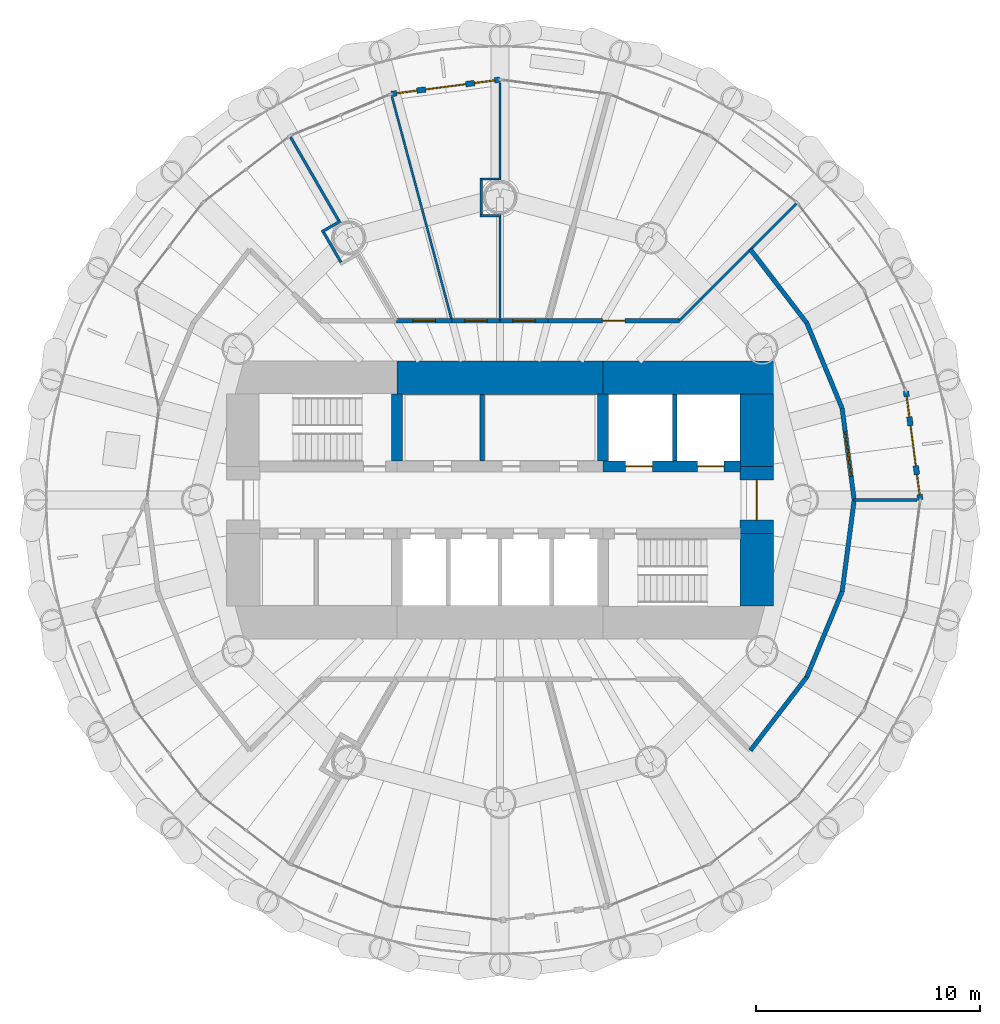
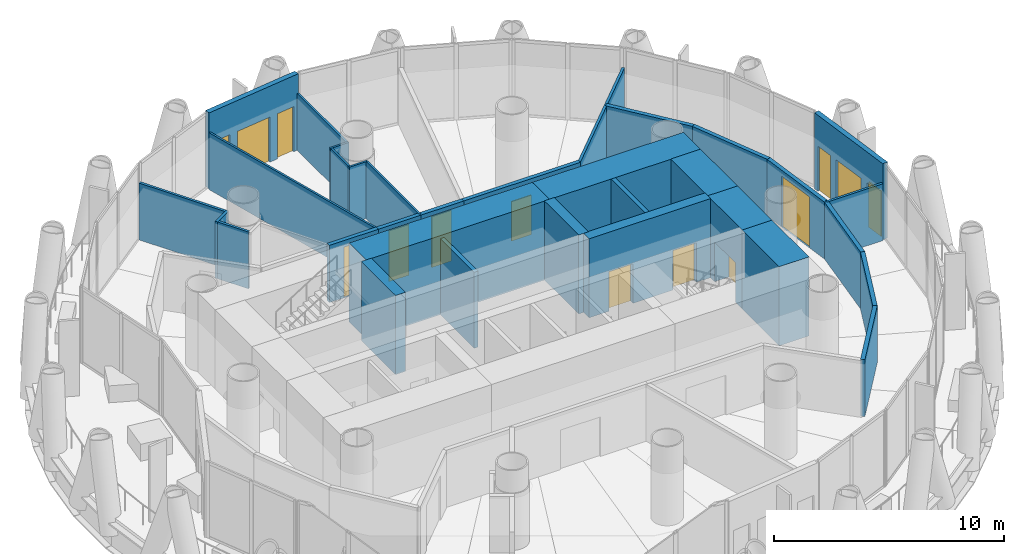
# One storey, part 10 of 15: 33 walls, 10 doors, 4 windows, 14 openings.
"""IFC4 building model written with IfcOpenShell, lengths in metres."""

from ifc_helpers import new_model, si_unit, direction, frame, frame_2d, origin, place, context, subcontext, project, spatial, rectangle, extrude, material, layer, layer_set, type_object, element, fill, save


model = new_model("IFC4")

# Units and contexts
model_context = context("Model", 3, precision=1e-05, world=origin(), true_north=direction((0.0, 1.0)))
body_context = subcontext(model_context, "Body", "Model", "MODEL_VIEW")
ifc_project = project(units=[si_unit("LENGTHUNIT", "METRE"), si_unit("AREAUNIT", "SQUARE_METRE"), si_unit("VOLUMEUNIT", "CUBIC_METRE"), si_unit("PLANEANGLEUNIT", "RADIAN"), si_unit("MASSUNIT", "GRAM", prefix="KILO")], contexts=[model_context])

# Site, building, storey
site_placement = place(None, origin())
site = spatial("IfcSite", under=ifc_project, at=site_placement, CompositionType="ELEMENT")
building_placement = place(site_placement, origin())
building = spatial("IfcBuilding", under=site, at=building_placement, Name="Qaws Media Tower", CompositionType="ELEMENT")
storey_placement = place(building_placement, frame((0.0, 0.0, 273.800048828125)))
storey = spatial("IfcBuildingStorey", under=building, at=storey_placement, Name="L63", CompositionType="ELEMENT", Elevation=273.800048828125)

# Wall, openings, door, windows
ifc_material_1 = material(Name="Precast concrete, exposed finish", Category="concrete")
ifc_layer_1 = layer(ifc_material_1, 0.25)
ifc_layer_set_1 = layer_set([ifc_layer_1], Name="Balcony door wall 250")
wall_type_1 = type_object("IfcWallType", Name="Balcony door wall 250", PredefinedType="SOLIDWALL", material=ifc_layer_set_1)
wall_1_placement = place(storey_placement, frame((78.75, 50.0, 0.0), z_axis=(0.0, 0.0, 1.0), x_axis=(-0.130533218363, 0.991443936339, 0.0)))
wall_1 = element("IfcWall", 1, at=wall_1_placement, inside=storey, type_object=wall_type_1, Name="W291 EW1 balcony door wall L63-01", PredefinedType="SOLIDWALL", context=body_context, shape_type="SweptSolid", body=[
    extrude(rectangle(XDim=4.894775390625, YDim=0.25, at=frame_2d((2.447265625, 0.0))), origin(), (0.0, 0.0, 1.0), 4.0400390625),
])
opening_1_placement = place(wall_1_placement, frame((1.54736328125, 0.0, 0.0)))
opening_1 = element("IfcOpeningElement", 2, at=opening_1_placement, cuts=wall_1, Name="Opening D7", PredefinedType="OPENING", context=body_context, shape_type="SweptSolid", body=[
    extrude(rectangle(XDim=1.800048828125, YDim=2.39990234375, at=frame_2d((0.89990234375, 1.199951171875))), frame((0.0, 0.135009765625, 0.0), z_axis=(0.0, -1.0, 0.0), x_axis=(1.0, 0.0, 0.0)), (0.0, 0.0, 1.0), 0.27001953125),
])
opening_2_placement = place(wall_1_placement, frame((0.247314453125, 0.0, 0.0)))
opening_2 = element("IfcOpeningElement", 3, at=opening_2_placement, cuts=wall_1, Name="Opening W7", PredefinedType="OPENING", context=body_context, shape_type="SweptSolid", body=[
    extrude(rectangle(XDim=0.89990234375, YDim=2.39990234375, at=frame_2d((0.449951171875, 1.199951171875))), frame((0.0, 0.135009765625, 0.0), z_axis=(0.0, -1.0, 0.0), x_axis=(1.0, 0.0, 0.0)), (0.0, 0.0, 1.0), 0.27001953125),
])
opening_3_placement = place(wall_1_placement, frame((3.747314453125, 0.0, 0.0)))
opening_3 = element("IfcOpeningElement", 4, at=opening_3_placement, cuts=wall_1, Name="Opening W7", PredefinedType="OPENING", context=body_context, shape_type="SweptSolid", body=[
    extrude(rectangle(XDim=0.89990234375, YDim=2.39990234375, at=frame_2d((0.449951171875, 1.199951171875))), frame((0.0, 0.135009765625, 0.0), z_axis=(0.0, -1.0, 0.0), x_axis=(1.0, 0.0, 0.0)), (0.0, 0.0, 1.0), 0.27001953125),
])
ifc_material_2 = material(Name="Aluminium and clear glass", Category="aluminium")
door_type_1 = type_object("IfcDoorType", Name="Balcony door pair 1800", OperationType="DOUBLE_DOOR_SLIDING", PredefinedType="DOOR", material=ifc_material_2)
door_1_placement = place(opening_1_placement, origin())
door_1 = element("IfcDoor", 5, at=door_1_placement, inside=storey, type_object=door_type_1, Name="D7 balcony door L63-01 in wall W291", OperationType="DOUBLE_DOOR_SLIDING", OverallHeight=2.39990234375, OverallWidth=1.800048828125, PredefinedType="DOOR", context=body_context, shape_type="SweptSolid", body=[
    extrude(rectangle(XDim=1.800048828125, YDim=2.39990234375, at=frame_2d((0.89990234375, 1.199951171875))), frame((0.0, 0.02490234375, 0.0), z_axis=(0.0, -1.0, 0.0), x_axis=(1.0, 0.0, 0.0)), (0.0, 0.0, 1.0), 0.050048828125),
])
fill(opening_1, door_1)
ifc_material_3 = material(Name="Aluminium and clear glass", Category="aluminium")
window_type = type_object("IfcWindowType", Name="Balcony side window 900", PartitioningType="SINGLE_PANEL", PredefinedType="WINDOW", material=ifc_material_3)
window_1_placement = place(opening_2_placement, origin())
window_1 = element("IfcWindow", 6, at=window_1_placement, inside=storey, type_object=window_type, Name="W1 balcony side light L63-01L", OverallHeight=2.39990234375, OverallWidth=0.89990234375, PartitioningType="SINGLE_PANEL", PredefinedType="WINDOW", context=body_context, shape_type="SweptSolid", body=[
    extrude(rectangle(XDim=0.89990234375, YDim=2.39990234375, at=frame_2d((0.449951171875, 1.199951171875))), frame((0.0, 0.030029296875, 0.0), z_axis=(0.0, -1.0, 0.0), x_axis=(1.0, 0.0, 0.0)), (0.0, 0.0, 1.0), 0.06005859375),
])
fill(opening_2, window_1)
window_2_placement = place(opening_3_placement, origin())
window_2 = element("IfcWindow", 7, at=window_2_placement, inside=storey, type_object=window_type, Name="W1 balcony side light L63-01R", OverallHeight=2.39990234375, OverallWidth=0.89990234375, PartitioningType="SINGLE_PANEL", PredefinedType="WINDOW", context=body_context, shape_type="SweptSolid", body=[
    extrude(rectangle(XDim=0.89990234375, YDim=2.39990234375, at=frame_2d((0.449951171875, 1.199951171875))), frame((0.0, 0.030029296875, 0.0), z_axis=(0.0, -1.0, 0.0), x_axis=(1.0, 0.0, 0.0)), (0.0, 0.0, 1.0), 0.06005859375),
])
fill(opening_3, window_2)

wall_2_placement = place(storey_placement, frame((60.0, 68.75, 0.0), z_axis=(0.0, 0.0, 1.0), x_axis=(-0.991443936339, -0.130533218363, 0.0)))
wall_2 = element("IfcWall", 8, at=wall_2_placement, inside=storey, type_object=wall_type_1, Name="W290 EW1 balcony door wall L63-07", PredefinedType="SOLIDWALL", context=body_context, shape_type="SweptSolid", body=[
    extrude(rectangle(XDim=4.894775390625, YDim=0.25, at=frame_2d((2.447265625, 0.0))), origin(), (0.0, 0.0, 1.0), 4.0400390625),
])
opening_4_placement = place(wall_2_placement, frame((1.54736328125, 0.0, 0.0)))
opening_4 = element("IfcOpeningElement", 9, at=opening_4_placement, cuts=wall_2, Name="Opening D7", PredefinedType="OPENING", context=body_context, shape_type="SweptSolid", body=[
    extrude(rectangle(XDim=1.800048828125, YDim=2.39990234375, at=frame_2d((0.89990234375, 1.199951171875))), frame((0.0, 0.135009765625, 0.0), z_axis=(0.0, -1.0, 0.0), x_axis=(1.0, 0.0, 0.0)), (0.0, 0.0, 1.0), 0.27001953125),
])
opening_5_placement = place(wall_2_placement, frame((0.247314453125, 0.0, 0.0)))
opening_5 = element("IfcOpeningElement", 10, at=opening_5_placement, cuts=wall_2, Name="Opening W7", PredefinedType="OPENING", context=body_context, shape_type="SweptSolid", body=[
    extrude(rectangle(XDim=0.89990234375, YDim=2.39990234375, at=frame_2d((0.449951171875, 1.199951171875))), frame((0.0, 0.135009765625, 0.0), z_axis=(0.0, -1.0, 0.0), x_axis=(1.0, 0.0, 0.0)), (0.0, 0.0, 1.0), 0.27001953125),
])
opening_6_placement = place(wall_2_placement, frame((3.747314453125, 0.0, 0.0)))
opening_6 = element("IfcOpeningElement", 11, at=opening_6_placement, cuts=wall_2, Name="Opening W7", PredefinedType="OPENING", context=body_context, shape_type="SweptSolid", body=[
    extrude(rectangle(XDim=0.89990234375, YDim=2.39990234375, at=frame_2d((0.449951171875, 1.199951171875))), frame((0.0, 0.135009765625, 0.0), z_axis=(0.0, -1.0, 0.0), x_axis=(1.0, 0.0, 0.0)), (0.0, 0.0, 1.0), 0.27001953125),
])
door_2_placement = place(opening_4_placement, origin())
door_2 = element("IfcDoor", 12, at=door_2_placement, inside=storey, type_object=door_type_1, Name="D7 balcony door L63-07 in wall W290", OperationType="DOUBLE_DOOR_SLIDING", OverallHeight=2.39990234375, OverallWidth=1.800048828125, PredefinedType="DOOR", context=body_context, shape_type="SweptSolid", body=[
    extrude(rectangle(XDim=1.800048828125, YDim=2.39990234375, at=frame_2d((0.89990234375, 1.199951171875))), frame((0.0, 0.02490234375, 0.0), z_axis=(0.0, -1.0, 0.0), x_axis=(1.0, 0.0, 0.0)), (0.0, 0.0, 1.0), 0.050048828125),
])
fill(opening_4, door_2)
window_3_placement = place(opening_5_placement, origin())
window_3 = element("IfcWindow", 13, at=window_3_placement, inside=storey, type_object=window_type, Name="W1 balcony side light L63-07L", OverallHeight=2.39990234375, OverallWidth=0.89990234375, PartitioningType="SINGLE_PANEL", PredefinedType="WINDOW", context=body_context, shape_type="SweptSolid", body=[
    extrude(rectangle(XDim=0.89990234375, YDim=2.39990234375, at=frame_2d((0.449951171875, 1.199951171875))), frame((0.0, 0.030029296875, 0.0), z_axis=(0.0, -1.0, 0.0), x_axis=(1.0, 0.0, 0.0)), (0.0, 0.0, 1.0), 0.06005859375),
])
fill(opening_5, window_3)
window_4_placement = place(opening_6_placement, origin())
window_4 = element("IfcWindow", 14, at=window_4_placement, inside=storey, type_object=window_type, Name="W1 balcony side light L63-07R", OverallHeight=2.39990234375, OverallWidth=0.89990234375, PartitioningType="SINGLE_PANEL", PredefinedType="WINDOW", context=body_context, shape_type="SweptSolid", body=[
    extrude(rectangle(XDim=0.89990234375, YDim=2.39990234375, at=frame_2d((0.449951171875, 1.199951171875))), frame((0.0, 0.030029296875, 0.0), z_axis=(0.0, -1.0, 0.0), x_axis=(1.0, 0.0, 0.0)), (0.0, 0.0, 1.0), 0.06005859375),
])
fill(opening_6, window_4)

# Wall, openings, doors
ifc_material_4 = material(Name="Concrete C60/75", Category="concrete")
ifc_layer_2 = layer(ifc_material_4, 0.5)
ifc_layer_set_2 = layer_set([ifc_layer_2], Name="Core inner wall 500")
wall_type_2 = type_object("IfcWallType", Name="Core inner wall 500", PredefinedType="SHEAR", material=ifc_layer_set_2)
wall_3_placement = place(storey_placement, frame((64.60009765625, 51.5, 0.0), z_axis=(0.0, 0.0, 1.0), x_axis=(1.0, 0.0, 0.0)))
wall_3 = element("IfcWall", 15, at=wall_3_placement, inside=storey, type_object=wall_type_2, Name="W352 SW12 core wall SPNE L63", PredefinedType="SHEAR", context=body_context, shape_type="SweptSolid", body=[
    extrude(rectangle(XDim=6.119873046875, YDim=0.5, at=frame_2d((3.06005859375, 0.0))), origin(), (0.0, 0.0, 1.0), 4.199951171875),
])
opening_7_placement = place(wall_3_placement, frame((1.0, 0.0, 0.0)))
opening_7 = element("IfcOpeningElement", 16, at=opening_7_placement, cuts=wall_3, Name="Opening LD2", PredefinedType="OPENING", context=body_context, shape_type="SweptSolid", body=[
    extrude(rectangle(XDim=1.199951171875, YDim=2.10009765625, at=frame_2d((0.60009765625, 1.050048828125))), frame((0.0, 0.260009765625, 0.0), z_axis=(0.0, -1.0, 0.0), x_axis=(1.0, 0.0, 0.0)), (0.0, 0.0, 1.0), 0.52001953125),
])
opening_8_placement = place(wall_3_placement, frame((4.199951171875, 0.0, 0.0)))
opening_8 = element("IfcOpeningElement", 17, at=opening_8_placement, cuts=wall_3, Name="Opening LD2", PredefinedType="OPENING", context=body_context, shape_type="SweptSolid", body=[
    extrude(rectangle(XDim=1.199951171875, YDim=2.10009765625, at=frame_2d((0.60009765625, 1.050048828125))), frame((0.0, 0.260009765625, 0.0), z_axis=(0.0, -1.0, 0.0), x_axis=(1.0, 0.0, 0.0)), (0.0, 0.0, 1.0), 0.52001953125),
])
ifc_material_5 = material(Name="Steel, fire rated", Category="steel")
door_type_2 = type_object("IfcDoorType", Name="Lift landing door 1200", OperationType="SLIDING_TO_LEFT", PredefinedType="DOOR", material=ifc_material_5)
door_3_placement = place(opening_7_placement, origin())
door_3 = element("IfcDoor", 18, at=door_3_placement, inside=storey, type_object=door_type_2, Name="FL1 landing door L63 in wall W352", OperationType="SLIDING_TO_LEFT", OverallHeight=2.10009765625, OverallWidth=1.199951171875, PredefinedType="DOOR", context=body_context, shape_type="SweptSolid", body=[
    extrude(rectangle(XDim=1.199951171875, YDim=2.10009765625, at=frame_2d((0.60009765625, 1.050048828125))), frame((0.0, 0.02490234375, 0.0), z_axis=(0.0, -1.0, 0.0), x_axis=(1.0, 0.0, 0.0)), (0.0, 0.0, 1.0), 0.050048828125),
])
fill(opening_7, door_3)
door_4_placement = place(opening_8_placement, origin())
door_4 = element("IfcDoor", 19, at=door_4_placement, inside=storey, type_object=door_type_2, Name="FL2 landing door L63 in wall W352", OperationType="SLIDING_TO_LEFT", OverallHeight=2.10009765625, OverallWidth=1.199951171875, PredefinedType="DOOR", context=body_context, shape_type="SweptSolid", body=[
    extrude(rectangle(XDim=1.199951171875, YDim=2.10009765625, at=frame_2d((0.60009765625, 1.050048828125))), frame((0.0, 0.02490234375, 0.0), z_axis=(0.0, -1.0, 0.0), x_axis=(1.0, 0.0, 0.0)), (0.0, 0.0, 1.0), 0.050048828125),
])
fill(opening_8, door_4)

# Walls
for number, where, z_axis, x_axis, name in (
    (20, (55.39990234375, 51.72998046875, 0.0), (0.0, 0.0, 1.0), (0.0, 1.0, 0.0), "W349 SW12 core wall XNW L63"),
    (21, (64.60009765625, 51.72998046875, 0.0), (0.0, 0.0, 1.0), (0.0, 1.0, 0.0), "W353 SW12 core wall XNE L63"),
):
    element("IfcWall", number, at=place(storey_placement, frame(where, z_axis=z_axis, x_axis=x_axis)), inside=storey, type_object=wall_type_2, Name=name, PredefinedType="SHEAR", context=body_context, shape_type="SweptSolid", body=[
        extrude(rectangle(XDim=2.989990234375, YDim=0.5, at=frame_2d((1.4951171875, 0.0))), origin(), (0.0, 0.0, 1.0), 4.199951171875),
    ])
ifc_material_6 = material(Name="Concrete C60/75", Category="concrete")
ifc_layer_3 = layer(ifc_material_6, 1.5)
ifc_layer_set_3 = layer_set([ifc_layer_3], Name="Core wall 1500")
wall_type_3 = type_object("IfcWallType", Name="Core wall 1500", PredefinedType="SHEAR", material=ifc_layer_set_3)
wall_4_placement = place(storey_placement, frame((55.39990234375, 55.449951171875, 0.0), z_axis=(0.0, 0.0, 1.0), x_axis=(1.0, 0.0, 0.0)))
element("IfcWall", 22, at=wall_4_placement, inside=storey, type_object=wall_type_3, Name="W373 SW13 core wall N L63", PredefinedType="SHEAR", context=body_context, shape_type="SweptSolid", body=[
    extrude(rectangle(XDim=9.2001953125, YDim=1.5, at=frame_2d((4.60009765625, 0.0))), origin(), (0.0, 0.0, 1.0), 4.199951171875),
])
wall_5_placement = place(storey_placement, frame((64.60009765625, 55.449951171875, 0.0), z_axis=(0.0, 0.0, 1.0), x_axis=(1.0, 0.0, 0.0)))
element("IfcWall", 23, at=wall_5_placement, inside=storey, type_object=wall_type_3, Name="W382 SW13 core wall NE L63", PredefinedType="SHEAR", context=body_context, shape_type="SweptSolid", body=[
    extrude(rectangle(XDim=7.599853515625, YDim=1.5, at=frame_2d((3.7998046875, 0.0))), origin(), (0.0, 0.0, 1.0), 4.199951171875),
])
wall_6_placement = place(storey_placement, frame((71.449951171875, 45.280029296875, 0.0), z_axis=(0.0, 0.0, 1.0), x_axis=(0.0, 1.0, 0.0)))
element("IfcWall", 24, at=wall_6_placement, inside=storey, type_object=wall_type_3, Name="W383 SW13 core wall ES L63", PredefinedType="SHEAR", context=body_context, shape_type="SweptSolid", body=[
    extrude(rectangle(XDim=3.219970703125, YDim=1.5, at=frame_2d((1.60986328125, 0.0))), origin(), (0.0, 0.0, 1.0), 4.199951171875),
])

# Wall, opening, door
wall_7_placement = place(storey_placement, frame((71.449951171875, 48.5, 0.0), z_axis=(0.0, 0.0, 1.0), x_axis=(0.0, 1.0, 0.0)))
wall_7 = element("IfcWall", 25, at=wall_7_placement, inside=storey, type_object=wall_type_3, Name="W384 SW13 core wall E L63", PredefinedType="SHEAR", context=body_context, shape_type="SweptSolid", body=[
    extrude(rectangle(XDim=3.0, YDim=1.5, at=frame_2d((1.5, 0.0))), origin(), (0.0, 0.0, 1.0), 4.199951171875),
])
opening_9_placement = place(wall_7_placement, frame((0.60009765625, 0.0, 0.0)))
opening_9 = element("IfcOpeningElement", 26, at=opening_9_placement, cuts=wall_7, Name="Opening D2", PredefinedType="OPENING", context=body_context, shape_type="SweptSolid", body=[
    extrude(rectangle(XDim=1.800048828125, YDim=2.10009765625, at=frame_2d((0.89990234375, 1.050048828125))), frame((0.0, 0.760009765625, 0.0), z_axis=(0.0, -1.0, 0.0), x_axis=(1.0, 0.0, 0.0)), (0.0, 0.0, 1.0), 1.52001953125),
])
ifc_material_7 = material(Name="Steel and glass, fire rated", Category="steel")
door_type_3 = type_object("IfcDoorType", Name="Lobby door pair 1800 FD60", OperationType="DOUBLE_DOOR_DOUBLE_SWING", PredefinedType="DOOR", material=ifc_material_7)
door_5_placement = place(opening_9_placement, origin())
door_5 = element("IfcDoor", 27, at=door_5_placement, inside=storey, type_object=door_type_3, Name="D2 core lobby door E L63 in wall W384", OperationType="DOUBLE_DOOR_DOUBLE_SWING", OverallHeight=2.10009765625, OverallWidth=1.800048828125, PredefinedType="DOOR", context=body_context, shape_type="SweptSolid", body=[
    extrude(rectangle(XDim=1.800048828125, YDim=2.10009765625, at=frame_2d((0.89990234375, 1.050048828125))), frame((0.0, 0.02490234375, 0.0), z_axis=(0.0, -1.0, 0.0), x_axis=(1.0, 0.0, 0.0)), (0.0, 0.0, 1.0), 0.050048828125),
])
fill(opening_9, door_5)

# Walls
wall_8_placement = place(storey_placement, frame((71.449951171875, 51.5, 0.0), z_axis=(0.0, 0.0, 1.0), x_axis=(0.0, 1.0, 0.0)))
element("IfcWall", 28, at=wall_8_placement, inside=storey, type_object=wall_type_3, Name="W385 SW13 core wall EN L63", PredefinedType="SHEAR", context=body_context, shape_type="SweptSolid", body=[
    extrude(rectangle(XDim=3.219970703125, YDim=1.5, at=frame_2d((1.60986328125, 0.0))), origin(), (0.0, 0.0, 1.0), 4.199951171875),
])
ifc_material_8 = material(Name="Two layers gypsum board each side on 75 studs, insulated", Category="gypsum")
ifc_layer_4 = layer(ifc_material_8, 0.125)
ifc_layer_set_4 = layer_set([ifc_layer_4], Name="Meeting room partition 125 Rw 48")
wall_type_4 = type_object("IfcWallType", Name="Meeting room partition 125 Rw 48", PredefinedType="PARTITIONING", material=ifc_layer_set_4)
wall_9_placement = place(storey_placement, frame((75.800048828125, 50.0, 0.0), z_axis=(0.0, 0.0, 1.0), x_axis=(1.0, 0.0, 0.0)))
element("IfcWall", 29, at=wall_9_placement, inside=storey, type_object=wall_type_4, Name="W633 IW5 partition L63", PredefinedType="PARTITIONING", context=body_context, shape_type="SweptSolid", body=[
    extrude(rectangle(XDim=2.81005859375, YDim=0.125, at=frame_2d((1.405029296875, 0.0))), origin(), (0.0, 0.0, 1.0), 3.02001953125),
])
wall_10_placement = place(storey_placement, frame((68.0, 58.0, 0.0), z_axis=(0.0, 0.0, 1.0), x_axis=(0.707106781187, 0.707106781187, 0.0)))
element("IfcWall", 30, at=wall_10_placement, inside=storey, type_object=wall_type_4, Name="W632 IW5 partition L63", PredefinedType="PARTITIONING", context=body_context, shape_type="SweptSolid", body=[
    extrude(rectangle(XDim=7.396240234375, YDim=0.125, at=frame_2d((3.6982421875, 0.0))), origin(), (0.0, 0.0, 1.0), 3.02001953125),
])
wall_11_placement = place(storey_placement, frame((52.887451171875, 62.4443359375, 0.0), z_axis=(0.0, 0.0, 1.0), x_axis=(-0.866110039299, -0.499853378327, 0.0)))
element("IfcWall", 31, at=wall_11_placement, inside=storey, type_object=wall_type_4, Name="W526 IW5 partition return L63", PredefinedType="PARTITIONING", context=body_context, shape_type="SweptSolid", body=[
    extrude(rectangle(XDim=0.968505859375, YDim=0.125, at=frame_2d((0.484375, 0.0))), origin(), (0.0, 0.0, 1.0), 3.02001953125),
])
wall_12_placement = place(storey_placement, frame((52.905029296875, 60.601806640625, 0.0), z_axis=(0.0, 0.0, 1.0), x_axis=(-0.499987416453, 0.866032668777, 0.0)))
element("IfcWall", 32, at=wall_12_placement, inside=storey, type_object=wall_type_4, Name="W527 IW5 partition return L63", PredefinedType="PARTITIONING", context=body_context, shape_type="SweptSolid", body=[
    extrude(rectangle(XDim=1.5419921875, YDim=0.125, at=frame_2d((0.77099609375, 0.0))), origin(), (0.0, 0.0, 1.0), 3.02001953125),
])
wall_13_placement = place(storey_placement, frame((52.802001953125, 62.46728515625, 0.0), z_axis=(0.0, 0.0, 1.0), x_axis=(-0.499991885958, 0.866030088378, 0.0)))
element("IfcWall", 33, at=wall_13_placement, inside=storey, type_object=wall_type_4, Name="W631 IW5 partition L63", PredefinedType="PARTITIONING", context=body_context, shape_type="SweptSolid", body=[
    extrude(rectangle(XDim=4.31396484375, YDim=0.125, at=frame_2d((2.156982421875, 0.0))), origin(), (0.0, 0.0, 1.0), 3.02001953125),
])
ifc_material_9 = material(Name="Gypsum board on 70 metal studs, single layer each side", Category="gypsum")
ifc_layer_5 = layer(ifc_material_9, 0.10009765625)
ifc_layer_set_5 = layer_set([ifc_layer_5], Name="Office stud partition 100")
wall_type_5 = type_object("IfcWallType", Name="Office stud partition 100", PredefinedType="PARTITIONING", material=ifc_layer_set_5)
for number, where, z_axis, x_axis, name in (
    (34, (60.050048828125, 62.678955078125, 0.0), (0.0, 0.0, 1.0), (-1.0, 0.0, 0.0), "W728 IW4 partition return L63"),
    (35, (60.050048828125, 64.321044921875, 0.0), (0.0, 0.0, 1.0), (-1.0, 0.0, 0.0), "W729 IW4 partition return L63"),
):
    element("IfcWall", number, at=place(storey_placement, frame(where, z_axis=z_axis, x_axis=x_axis)), inside=storey, type_object=wall_type_5, Name=name, PredefinedType="PARTITIONING", context=body_context, shape_type="SweptSolid", body=[
        extrude(rectangle(XDim=0.93115234375, YDim=0.10009765625, at=frame_2d((0.465576171875, 0.0))), origin(), (0.0, 0.0, 1.0), 3.02001953125),
    ])
wall_14_placement = place(storey_placement, frame((59.1689453125, 62.72900390625, 0.0), z_axis=(0.0, 0.0, 1.0), x_axis=(0.0, 1.0, 0.0)))
element("IfcWall", 36, at=wall_14_placement, inside=storey, type_object=wall_type_5, Name="W725 IW4 partition return L63", PredefinedType="PARTITIONING", context=body_context, shape_type="SweptSolid", body=[
    extrude(rectangle(XDim=1.5419921875, YDim=0.10009765625, at=frame_2d((0.77099609375, 0.0))), origin(), (0.0, 0.0, 1.0), 3.02001953125),
])
wall_15_placement = place(storey_placement, frame((60.0, 58.0, 0.0), z_axis=(0.0, 0.0, 1.0), x_axis=(0.0, 1.0, 0.0)))
element("IfcWall", 37, at=wall_15_placement, inside=storey, type_object=wall_type_5, Name="W726 IW4 partition L63", PredefinedType="PARTITIONING", context=body_context, shape_type="SweptSolid", body=[
    extrude(rectangle(XDim=4.62890625, YDim=0.10009765625, at=frame_2d((2.314453125, 0.0))), origin(), (0.0, 0.0, 1.0), 3.0400390625),
])
wall_16_placement = place(storey_placement, frame((60.0, 64.37109375, 0.0), z_axis=(0.0, 0.0, 1.0), x_axis=(0.0, 1.0, 0.0)))
element("IfcWall", 38, at=wall_16_placement, inside=storey, type_object=wall_type_5, Name="W731 IW4 partition L63", PredefinedType="PARTITIONING", context=body_context, shape_type="SweptSolid", body=[
    extrude(rectangle(XDim=4.239013671875, YDim=0.10009765625, at=frame_2d((2.11962890625, 0.0))), origin(), (0.0, 0.0, 1.0), 3.02001953125),
])
wall_17_placement = place(storey_placement, frame((57.85693359375, 57.997802734375, 0.0), z_axis=(0.0, 0.0, 1.0), x_axis=(-0.258817203967, 0.965926319618, 0.0)))
element("IfcWall", 39, at=wall_17_placement, inside=storey, type_object=wall_type_5, Name="W730 IW4 partition L63", PredefinedType="PARTITIONING", context=body_context, shape_type="SweptSolid", body=[
    extrude(rectangle(XDim=10.330078125, YDim=0.10009765625, at=frame_2d((5.1650390625, 0.0))), origin(), (0.0, 0.0, 1.0), 3.02001953125),
])

# Wall, opening, door
ifc_material_10 = material(Name="Gypsum board on galvanised metal studs, acoustic double stud, deflection head", Category="gypsum")
ifc_layer_6 = layer(ifc_material_10, 0.199951171875)
ifc_layer_set_6 = layer_set([ifc_layer_6], Name="Room partition 200")
wall_type_6 = type_object("IfcWallType", Name="Room partition 200", PredefinedType="PARTITIONING", material=ifc_layer_set_6)
wall_18_placement = place(storey_placement, frame((55.381103515625, 58.0, 0.0), z_axis=(0.0, 0.0, 1.0), x_axis=(1.0, 0.0, 0.0)))
wall_18 = element("IfcWall", 40, at=wall_18_placement, inside=storey, type_object=wall_type_6, Name="W1718 IW3 partition L63", PredefinedType="PARTITIONING", context=body_context, shape_type="SweptSolid", body=[
    extrude(rectangle(XDim=2.475341796875, YDim=0.199951171875, at=frame_2d((1.23779296875, 0.0))), origin(), (0.0, 0.0, 1.0), 3.0400390625),
])
opening_10_placement = place(wall_18_placement, frame((0.737548828125, 0.0, 0.0)))
opening_10 = element("IfcOpeningElement", 41, at=opening_10_placement, cuts=wall_18, Name="Opening D21", PredefinedType="OPENING", context=body_context, shape_type="SweptSolid", body=[
    extrude(rectangle(XDim=1.0, YDim=2.699951171875, at=frame_2d((0.5, 1.35009765625))), frame((0.0, 0.10986328125, 0.0), z_axis=(0.0, -1.0, 0.0), x_axis=(1.0, 0.0, 0.0)), (0.0, 0.0, 1.0), 0.219970703125),
])
ifc_material_11 = material(Name="Timber veneered, full height, acoustic seals", Category="wood")
door_type_4 = type_object("IfcDoorType", Name="Executive door 1000x2700", OperationType="SINGLE_SWING_LEFT", PredefinedType="DOOR", material=ifc_material_11)
door_6_placement = place(opening_10_placement, origin())
door_6 = element("IfcDoor", 42, at=door_6_placement, inside=storey, type_object=door_type_4, Name="D21 Executive office door L63 in wall W1718", OperationType="SINGLE_SWING_LEFT", OverallHeight=2.699951171875, OverallWidth=1.0, PredefinedType="DOOR", context=body_context, shape_type="SweptSolid", body=[
    extrude(rectangle(XDim=1.0, YDim=2.699951171875, at=frame_2d((0.5, 1.35009765625))), frame((0.0, 0.02490234375, 0.0), z_axis=(0.0, -1.0, 0.0), x_axis=(1.0, 0.0, 0.0)), (0.0, 0.0, 1.0), 0.050048828125),
])
fill(opening_10, door_6)

wall_19_placement = place(storey_placement, frame((57.8564453125, 58.0, 0.0), z_axis=(0.0, 0.0, 1.0), x_axis=(1.0, 0.0, 0.0)))
wall_19 = element("IfcWall", 43, at=wall_19_placement, inside=storey, type_object=wall_type_6, Name="W1719 IW3 partition L63", PredefinedType="PARTITIONING", context=body_context, shape_type="SweptSolid", body=[
    extrude(rectangle(XDim=2.1435546875, YDim=0.199951171875, at=frame_2d((1.07177734375, 0.0))), origin(), (0.0, 0.0, 1.0), 3.0400390625),
])
opening_11_placement = place(wall_19_placement, frame((0.57177734375, 0.0, 0.0)))
opening_11 = element("IfcOpeningElement", 44, at=opening_11_placement, cuts=wall_19, Name="Opening D21", PredefinedType="OPENING", context=body_context, shape_type="SweptSolid", body=[
    extrude(rectangle(XDim=1.0, YDim=2.699951171875, at=frame_2d((0.5, 1.35009765625))), frame((0.0, 0.10986328125, 0.0), z_axis=(0.0, -1.0, 0.0), x_axis=(1.0, 0.0, 0.0)), (0.0, 0.0, 1.0), 0.219970703125),
])
door_7_placement = place(opening_11_placement, origin())
door_7 = element("IfcDoor", 45, at=door_7_placement, inside=storey, type_object=door_type_4, Name="D21 Executive office door L63 in wall W1719", OperationType="SINGLE_SWING_LEFT", OverallHeight=2.699951171875, OverallWidth=1.0, PredefinedType="DOOR", context=body_context, shape_type="SweptSolid", body=[
    extrude(rectangle(XDim=1.0, YDim=2.699951171875, at=frame_2d((0.5, 1.35009765625))), frame((0.0, 0.02490234375, 0.0), z_axis=(0.0, -1.0, 0.0), x_axis=(1.0, 0.0, 0.0)), (0.0, 0.0, 1.0), 0.050048828125),
])
fill(opening_11, door_7)

wall_20_placement = place(storey_placement, frame((60.0, 58.0, 0.0), z_axis=(0.0, 0.0, 1.0), x_axis=(1.0, 0.0, 0.0)))
wall_20 = element("IfcWall", 46, at=wall_20_placement, inside=storey, type_object=wall_type_6, Name="W1723 IW3 partition L63", PredefinedType="PARTITIONING", context=body_context, shape_type="SweptSolid", body=[
    extrude(rectangle(XDim=2.1435546875, YDim=0.199951171875, at=frame_2d((1.07177734375, 0.0))), origin(), (0.0, 0.0, 1.0), 3.0400390625),
])
opening_12_placement = place(wall_20_placement, frame((0.57177734375, 0.0, 0.0)))
opening_12 = element("IfcOpeningElement", 47, at=opening_12_placement, cuts=wall_20, Name="Opening D21", PredefinedType="OPENING", context=body_context, shape_type="SweptSolid", body=[
    extrude(rectangle(XDim=1.0, YDim=2.699951171875, at=frame_2d((0.5, 1.35009765625))), frame((0.0, 0.10986328125, 0.0), z_axis=(0.0, -1.0, 0.0), x_axis=(1.0, 0.0, 0.0)), (0.0, 0.0, 1.0), 0.219970703125),
])
door_8_placement = place(opening_12_placement, origin())
door_8 = element("IfcDoor", 48, at=door_8_placement, inside=storey, type_object=door_type_4, Name="D21 Executive office door L63 in wall W1723", OperationType="SINGLE_SWING_LEFT", OverallHeight=2.699951171875, OverallWidth=1.0, PredefinedType="DOOR", context=body_context, shape_type="SweptSolid", body=[
    extrude(rectangle(XDim=1.0, YDim=2.699951171875, at=frame_2d((0.5, 1.35009765625))), frame((0.0, 0.02490234375, 0.0), z_axis=(0.0, -1.0, 0.0), x_axis=(1.0, 0.0, 0.0)), (0.0, 0.0, 1.0), 0.050048828125),
])
fill(opening_12, door_8)

wall_21_placement = place(storey_placement, frame((62.1435546875, 58.0, 0.0), z_axis=(0.0, 0.0, 1.0), x_axis=(1.0, 0.0, 0.0)))
wall_21 = element("IfcWall", 49, at=wall_21_placement, inside=storey, type_object=wall_type_6, Name="W1766 IW3 partition L63", PredefinedType="PARTITIONING", context=body_context, shape_type="SweptSolid", body=[
    extrude(rectangle(XDim=5.8564453125, YDim=0.199951171875, at=frame_2d((2.92822265625, 0.0))), origin(), (0.0, 0.0, 1.0), 3.0400390625),
])
opening_13_placement = place(wall_21_placement, frame((2.42822265625, 0.0, 0.0)))
opening_13 = element("IfcOpeningElement", 50, at=opening_13_placement, cuts=wall_21, Name="Opening D5", PredefinedType="OPENING", context=body_context, shape_type="SweptSolid", body=[
    extrude(rectangle(XDim=1.0, YDim=2.10009765625, at=frame_2d((0.5, 1.050048828125))), frame((0.0, 0.10986328125, 0.0), z_axis=(0.0, -1.0, 0.0), x_axis=(1.0, 0.0, 0.0)), (0.0, 0.0, 1.0), 0.219970703125),
])
ifc_material_12 = material(Name="Timber veneered, acoustic seal", Category="wood")
door_type_5 = type_object("IfcDoorType", Name="Room door 1000", OperationType="SINGLE_SWING_LEFT", PredefinedType="DOOR", material=ifc_material_12)
door_9_placement = place(opening_13_placement, origin())
door_9 = element("IfcDoor", 51, at=door_9_placement, inside=storey, type_object=door_type_5, Name="D5 Board meeting room door L63 in wall W1766", OperationType="SINGLE_SWING_LEFT", OverallHeight=2.10009765625, OverallWidth=1.0, PredefinedType="DOOR", context=body_context, shape_type="SweptSolid", body=[
    extrude(rectangle(XDim=1.0, YDim=2.10009765625, at=frame_2d((0.5, 1.050048828125))), frame((0.0, 0.02490234375, 0.0), z_axis=(0.0, -1.0, 0.0), x_axis=(1.0, 0.0, 0.0)), (0.0, 0.0, 1.0), 0.050048828125),
])
fill(opening_13, door_9)

# Walls
wall_22_placement = place(storey_placement, frame((71.17236328125, 61.17236328125, 0.0), z_axis=(0.0, 0.0, 1.0), x_axis=(0.608714823874, -0.793389099494, 0.0)))
element("IfcWall", 52, at=wall_22_placement, inside=storey, type_object=wall_type_6, Name="W1729 IW3 partition L63", PredefinedType="PARTITIONING", context=body_context, shape_type="SweptSolid", body=[
    extrude(rectangle(XDim=4.124755859375, YDim=0.199951171875, at=frame_2d((2.0625, 0.0))), origin(), (0.0, 0.0, 1.0), 3.02001953125),
])
wall_23_placement = place(storey_placement, frame((73.68310546875, 57.89990234375, 0.0), z_axis=(0.0, 0.0, 1.0), x_axis=(0.382731667114, -0.923859551549, 0.0)))
element("IfcWall", 53, at=wall_23_placement, inside=storey, type_object=wall_type_6, Name="W1731 IW3 partition L63", PredefinedType="PARTITIONING", context=body_context, shape_type="SweptSolid", body=[
    extrude(rectangle(XDim=4.12451171875, YDim=0.199951171875, at=frame_2d((2.062255859375, 0.0))), origin(), (0.0, 0.0, 1.0), 3.02001953125),
])

# Wall, opening, door
wall_24_placement = place(storey_placement, frame((75.26171875, 54.08935546875, 0.0), z_axis=(0.0, 0.0, 1.0), x_axis=(0.130515758099, -0.991446234996, 0.0)))
wall_24 = element("IfcWall", 54, at=wall_24_placement, inside=storey, type_object=wall_type_6, Name="W1733 IW3 partition L63", PredefinedType="PARTITIONING", context=body_context, shape_type="SweptSolid", body=[
    extrude(rectangle(XDim=4.124755859375, YDim=0.199951171875, at=frame_2d((2.0625, 0.0))), origin(), (0.0, 0.0, 1.0), 3.02001953125),
])
opening_14_placement = place(wall_24_placement, frame((1.062255859375, 0.0, 0.0)))
opening_14 = element("IfcOpeningElement", 55, at=opening_14_placement, cuts=wall_24, Name="Opening D22", PredefinedType="OPENING", context=body_context, shape_type="SweptSolid", body=[
    extrude(rectangle(XDim=2.0, YDim=2.699951171875, at=frame_2d((1.0, 1.35009765625))), frame((0.0, 0.10986328125, 0.0), z_axis=(0.0, -1.0, 0.0), x_axis=(1.0, 0.0, 0.0)), (0.0, 0.0, 1.0), 0.219970703125),
])
ifc_material_13 = material(Name="Timber veneered, acoustic seals", Category="wood")
door_type_6 = type_object("IfcDoorType", Name="Boardroom door pair 2000x2700", OperationType="DOUBLE_DOOR_DOUBLE_SWING", PredefinedType="DOOR", material=ifc_material_13)
door_10_placement = place(opening_14_placement, origin())
door_10 = element("IfcDoor", 56, at=door_10_placement, inside=storey, type_object=door_type_6, Name="D22 Boardroom door L63 in wall W1733", OperationType="DOUBLE_DOOR_DOUBLE_SWING", OverallHeight=2.699951171875, OverallWidth=2.0, PredefinedType="DOOR", context=body_context, shape_type="SweptSolid", body=[
    extrude(rectangle(XDim=2.0, YDim=2.699951171875, at=frame_2d((1.0, 1.35009765625))), frame((0.0, 0.02490234375, 0.0), z_axis=(0.0, -1.0, 0.0), x_axis=(1.0, 0.0, 0.0)), (0.0, 0.0, 1.0), 0.050048828125),
])
fill(opening_14, door_10)

# Walls
wall_25_placement = place(storey_placement, frame((75.800048828125, 50.0, 0.0), z_axis=(0.0, 0.0, 1.0), x_axis=(-0.130515758099, -0.991446234996, 0.0)))
element("IfcWall", 57, at=wall_25_placement, inside=storey, type_object=wall_type_6, Name="W1734 IW3 partition L63", PredefinedType="PARTITIONING", context=body_context, shape_type="SweptSolid", body=[
    extrude(rectangle(XDim=4.124755859375, YDim=0.199951171875, at=frame_2d((2.0625, 0.0))), origin(), (0.0, 0.0, 1.0), 3.02001953125),
])
wall_26_placement = place(storey_placement, frame((75.26171875, 45.91064453125, 0.0), z_axis=(0.0, 0.0, 1.0), x_axis=(-0.382731667114, -0.923859551549, 0.0)))
element("IfcWall", 58, at=wall_26_placement, inside=storey, type_object=wall_type_6, Name="W1732 IW3 partition L63", PredefinedType="PARTITIONING", context=body_context, shape_type="SweptSolid", body=[
    extrude(rectangle(XDim=4.12451171875, YDim=0.199951171875, at=frame_2d((2.062255859375, 0.0))), origin(), (0.0, 0.0, 1.0), 3.02001953125),
])
wall_27_placement = place(storey_placement, frame((73.68310546875, 42.10009765625, 0.0), z_axis=(0.0, 0.0, 1.0), x_axis=(-0.608714823874, -0.793389099494, 0.0)))
element("IfcWall", 59, at=wall_27_placement, inside=storey, type_object=wall_type_6, Name="W1730 IW3 partition L63", PredefinedType="PARTITIONING", context=body_context, shape_type="SweptSolid", body=[
    extrude(rectangle(XDim=4.124755859375, YDim=0.199951171875, at=frame_2d((2.0625, 0.0))), origin(), (0.0, 0.0, 1.0), 3.02001953125),
])
wall_28_placement = place(storey_placement, frame((59.208984375, 51.75, 0.0), z_axis=(0.0, 0.0, 1.0), x_axis=(0.0, 1.0, 0.0)))
element("IfcWall", 60, at=wall_28_placement, inside=storey, type_object=wall_type_6, Name="W1772 IW3 core room partition 1 L63", PredefinedType="PARTITIONING", context=body_context, shape_type="SweptSolid", body=[
    extrude(rectangle(XDim=2.949951171875, YDim=0.199951171875, at=frame_2d((1.47509765625, 0.0))), origin(), (0.0, 0.0, 1.0), 4.0400390625),
])
ifc_material_14 = material(Name="Fire-rated gypsum board shaft wall on galvanised metal studs, deflection head", Category="gypsum")
ifc_layer_7 = layer(ifc_material_14, 0.199951171875)
ifc_layer_set_7 = layer_set([ifc_layer_7], Name="Shaft wall 200")
wall_type_7 = type_object("IfcWallType", Name="Shaft wall 200", PredefinedType="PARTITIONING", material=ifc_layer_set_7)
wall_29_placement = place(storey_placement, frame((67.800048828125, 51.75, 0.0), z_axis=(0.0, 0.0, 1.0), x_axis=(0.0, 1.0, 0.0)))
element("IfcWall", 61, at=wall_29_placement, inside=storey, type_object=wall_type_7, Name="W1870 IW1 shaft wall FL L63", PredefinedType="PARTITIONING", context=body_context, shape_type="SweptSolid", body=[
    extrude(rectangle(XDim=2.949951171875, YDim=0.199951171875, at=frame_2d((1.47509765625, 0.0))), origin(), (0.0, 0.0, 1.0), 4.199951171875),
])

save(model, "model.ifc")
